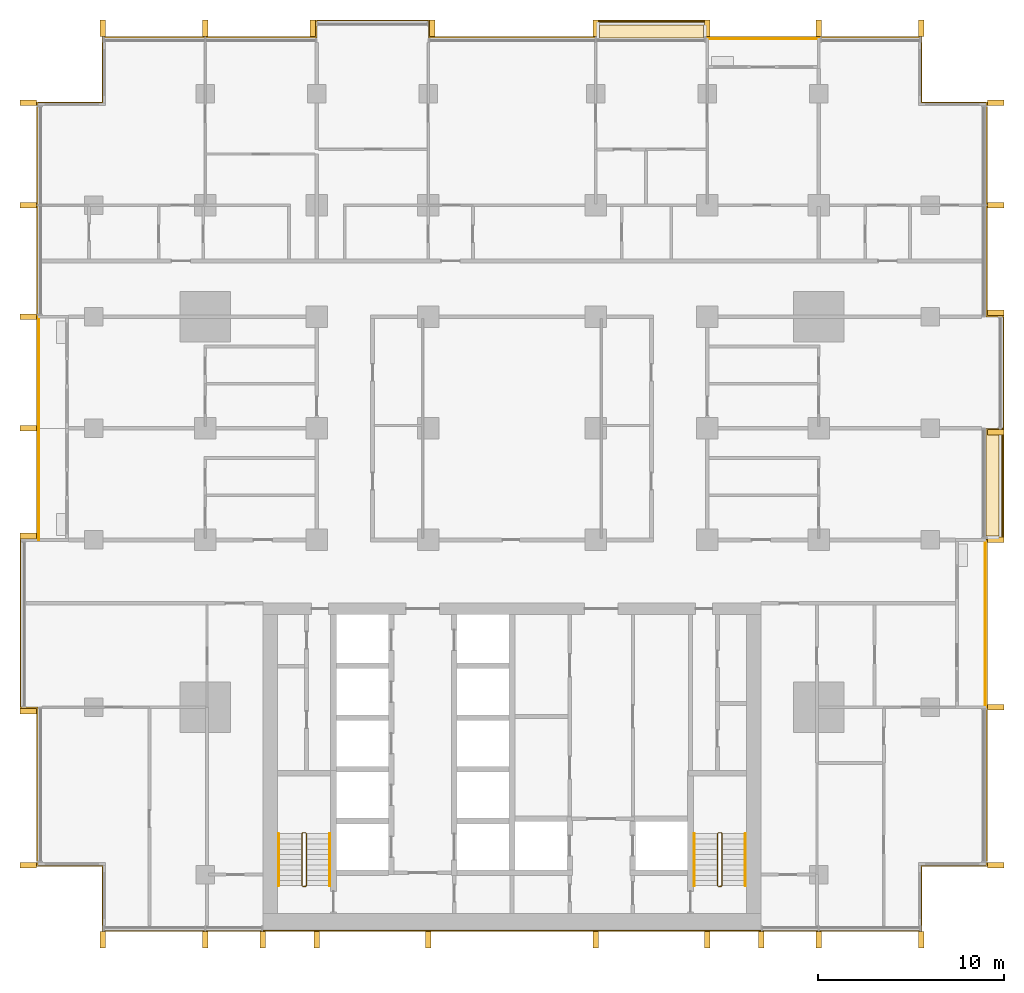
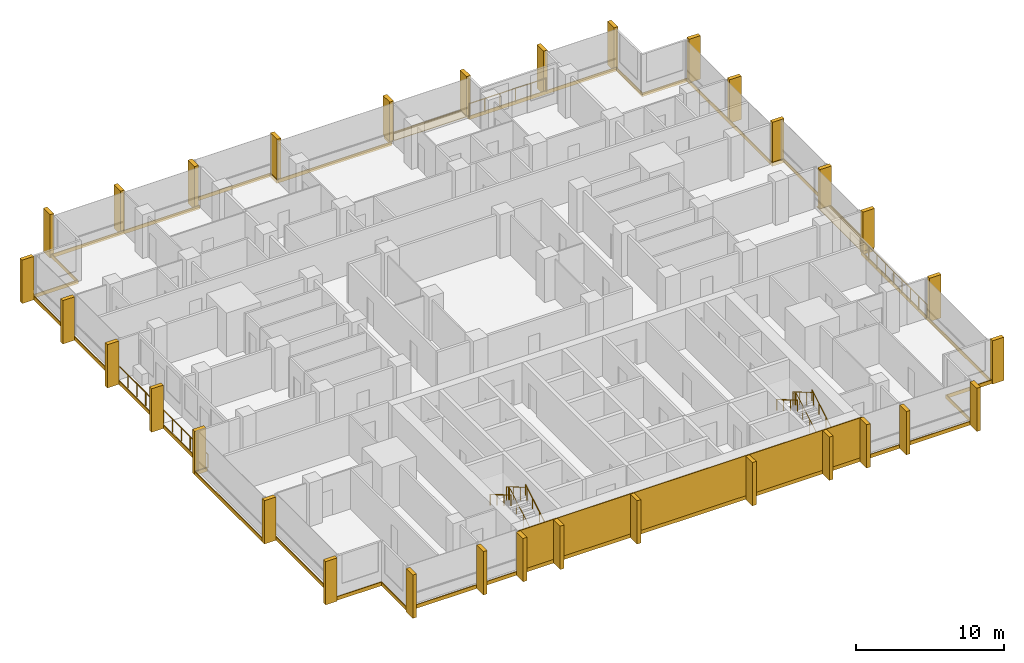
# One storey, part 17 of 17: 32 shading devices, 10 coverings, 10 railings.
"""IFC4 building model written with IfcOpenShell, lengths in metres."""

from ifc_helpers import new_model, si_unit, direction, frame, origin, origin_2d, place, context, subcontext, project, spatial, polyline, rectangle, circle, outline, extrude, material, layer, layer_set, type_object, element, save


model = new_model("IFC4")

# Units and contexts
model_context = context("Model", 3, precision=1e-05, world=origin(), true_north=direction((0.0, 1.0)))
body_context = subcontext(model_context, "Body", "Model", "MODEL_VIEW")
ifc_project = project(units=[si_unit("LENGTHUNIT", "METRE"), si_unit("AREAUNIT", "SQUARE_METRE"), si_unit("VOLUMEUNIT", "CUBIC_METRE"), si_unit("PLANEANGLEUNIT", "RADIAN"), si_unit("MASSUNIT", "GRAM", prefix="KILO")], contexts=[model_context])

# Site, building, storey
site_placement = place(None, origin())
site = spatial("IfcSite", under=ifc_project, at=site_placement, CompositionType="ELEMENT")
building_placement = place(site_placement, origin())
building = spatial("IfcBuilding", under=site, at=building_placement, Name="Finial Court Residences", CompositionType="ELEMENT")
storey_placement = place(building_placement, frame((0.0, 0.0, 102.699951171875)))
storey = spatial("IfcBuildingStorey", under=building, at=storey_placement, Name="L25", CompositionType="ELEMENT", Elevation=102.699951171875)

# Railings
ifc_material_1 = material(Name="Bronze anodised aluminium", Category="aluminium")
railing_type_1 = type_object("IfcRailingType", Name="Balcony guard 1100", PredefinedType="GUARDRAIL", material=ifc_material_1)
railing_1_placement = place(storey_placement, frame((10.5, 22.449951171875, 0.0)))
element("IfcRailing", 1, at=railing_1_placement, inside=storey, type_object=railing_type_1, Name="E-L25-BALN6-R", PredefinedType="GUARDRAIL", context=body_context, shape_type="SweptSolid", body=[
    extrude(circle(Radius=0.02392578125, at=origin_2d()), frame((0.0, 0.0, 1.076171875), z_axis=(1.0, 0.0, 0.0), x_axis=(0.0, 1.0, 0.0)), (0.0, 0.0, 1.0), 6.0),
    extrude(circle(Radius=0.02099609375, at=origin_2d()), origin(), (0.0, 0.0, 1.0), 1.052001953125),
    extrude(circle(Radius=0.02099609375, at=origin_2d()), frame((1.199951171875, 0.0, 0.0)), (0.0, 0.0, 1.0), 1.052001953125),
    extrude(circle(Radius=0.02099609375, at=origin_2d()), frame((2.39990234375, 0.0, 0.0)), (0.0, 0.0, 1.0), 1.052001953125),
    extrude(circle(Radius=0.02099609375, at=origin_2d()), frame((3.60009765625, 0.0, 0.0)), (0.0, 0.0, 1.0), 1.052001953125),
    extrude(circle(Radius=0.02099609375, at=origin_2d()), frame((4.800048828125, 0.0, 0.0)), (0.0, 0.0, 1.0), 1.052001953125),
    extrude(circle(Radius=0.02099609375, at=origin_2d()), frame((6.0, 0.0, 0.0)), (0.0, 0.0, 1.0), 1.052001953125),
])
railing_2_placement = place(storey_placement, frame((25.449951171875, -13.5, 0.0)))
element("IfcRailing", 2, at=railing_2_placement, inside=storey, type_object=railing_type_1, Name="E-L25-BALE2-R", PredefinedType="GUARDRAIL", context=body_context, shape_type="SweptSolid", body=[
    extrude(circle(Radius=0.02392578125, at=origin_2d()), frame((0.0, 0.0, 1.076171875), z_axis=(0.0, 1.0, 0.0), x_axis=(-1.0, 0.0, 0.0)), (0.0, 0.0, 1.0), 9.0),
    extrude(circle(Radius=0.02099609375, at=origin_2d()), origin(), (0.0, 0.0, 1.0), 1.052001953125),
    extrude(circle(Radius=0.02099609375, at=origin_2d()), frame((0.0, 1.125, 0.0)), (0.0, 0.0, 1.0), 1.052001953125),
    extrude(circle(Radius=0.02099609375, at=origin_2d()), frame((0.0, 2.25, 0.0)), (0.0, 0.0, 1.0), 1.052001953125),
    extrude(circle(Radius=0.02099609375, at=origin_2d()), frame((0.0, 3.375, 0.0)), (0.0, 0.0, 1.0), 1.052001953125),
    extrude(circle(Radius=0.02099609375, at=origin_2d()), frame((0.0, 4.5, 0.0)), (0.0, 0.0, 1.0), 1.052001953125),
    extrude(circle(Radius=0.02099609375, at=origin_2d()), frame((0.0, 5.625, 0.0)), (0.0, 0.0, 1.0), 1.052001953125),
    extrude(circle(Radius=0.02099609375, at=origin_2d()), frame((0.0, 6.75, 0.0)), (0.0, 0.0, 1.0), 1.052001953125),
    extrude(circle(Radius=0.02099609375, at=origin_2d()), frame((0.0, 7.875, 0.0)), (0.0, 0.0, 1.0), 1.052001953125),
    extrude(circle(Radius=0.02099609375, at=origin_2d()), frame((0.0, 9.0, 0.0)), (0.0, 0.0, 1.0), 1.052001953125),
])
for number, where, name in (
    (3, (-25.449951171875, -4.5, 0.0), "E-L25-BALW3-R"),
    (4, (-25.449951171875, 1.5, 0.0), "E-L25-BALW4-R"),
):
    element("IfcRailing", number, at=place(storey_placement, frame(where)), inside=storey, type_object=railing_type_1, Name=name, PredefinedType="GUARDRAIL", context=body_context, shape_type="SweptSolid", body=[
        extrude(circle(Radius=0.02392578125, at=origin_2d()), frame((0.0, 0.0, 1.076171875), z_axis=(0.0, 1.0, 0.0), x_axis=(-1.0, 0.0, 0.0)), (0.0, 0.0, 1.0), 6.0),
        extrude(circle(Radius=0.02099609375, at=origin_2d()), origin(), (0.0, 0.0, 1.0), 1.052001953125),
        extrude(circle(Radius=0.02099609375, at=origin_2d()), frame((0.0, 1.199951171875, 0.0)), (0.0, 0.0, 1.0), 1.052001953125),
        extrude(circle(Radius=0.02099609375, at=origin_2d()), frame((0.0, 2.39990234375, 0.0)), (0.0, 0.0, 1.0), 1.052001953125),
        extrude(circle(Radius=0.02099609375, at=origin_2d()), frame((0.0, 3.60009765625, 0.0)), (0.0, 0.0, 1.0), 1.052001953125),
        extrude(circle(Radius=0.02099609375, at=origin_2d()), frame((0.0, 4.800048828125, 0.0)), (0.0, 0.0, 1.0), 1.052001953125),
        extrude(circle(Radius=0.02099609375, at=origin_2d()), frame((0.0, 6.0, 0.0)), (0.0, 0.0, 1.0), 1.052001953125),
    ])

# Coverings
ifc_material_2 = material(Name="Natural limestone", Category="masonry")
ifc_layer_1 = layer(ifc_material_2, 0.06005859375)
ifc_layer_set_1 = layer_set([ifc_layer_1], Name="Limestone cladding to the blind core face 60")
covering_type_1 = type_object("IfcCoveringType", Name="Limestone cladding to the blind core face 60", PredefinedType="CLADDING", material=ifc_layer_set_1)
covering_1_placement = place(storey_placement, origin())
element("IfcCovering", 5, at=covering_1_placement, inside=storey, type_object=covering_type_1, Name="E-L25-CLAD1", PredefinedType="CLADDING", context=body_context, shape_type="SweptSolid", body=[
    extrude(outline(polyline([(-10.5, -25.56005859375), (-10.5, -25.5), (-13.39990234375, -25.5), (-13.39990234375, -25.56005859375), (-10.5, -25.56005859375)])), origin(), (0.0, 0.0, 1.0), 3.300048828125),
])
covering_2_placement = place(storey_placement, origin())
element("IfcCovering", 6, at=covering_2_placement, inside=storey, type_object=covering_type_1, Name="E-L25-CLAD2", PredefinedType="CLADDING", context=body_context, shape_type="SweptSolid", body=[
    extrude(outline(polyline([(-4.5, -25.56005859375), (-4.5, -25.5), (-10.5, -25.5), (-10.5, -25.56005859375), (-4.5, -25.56005859375)])), origin(), (0.0, 0.0, 1.0), 3.300048828125),
])
covering_3_placement = place(storey_placement, origin())
element("IfcCovering", 7, at=covering_3_placement, inside=storey, type_object=covering_type_1, Name="E-L25-CLAD3", PredefinedType="CLADDING", context=body_context, shape_type="SweptSolid", body=[
    extrude(outline(polyline([(4.5, -25.56005859375), (4.5, -25.5), (-4.5, -25.5), (-4.5, -25.56005859375), (4.5, -25.56005859375)])), origin(), (0.0, 0.0, 1.0), 3.300048828125),
])
covering_4_placement = place(storey_placement, origin())
element("IfcCovering", 8, at=covering_4_placement, inside=storey, type_object=covering_type_1, Name="E-L25-CLAD4", PredefinedType="CLADDING", context=body_context, shape_type="SweptSolid", body=[
    extrude(outline(polyline([(10.5, -25.56005859375), (10.5, -25.5), (4.5, -25.5), (4.5, -25.56005859375), (10.5, -25.56005859375)])), origin(), (0.0, 0.0, 1.0), 3.300048828125),
])
covering_5_placement = place(storey_placement, origin())
element("IfcCovering", 9, at=covering_5_placement, inside=storey, type_object=covering_type_1, Name="E-L25-CLAD5", PredefinedType="CLADDING", context=body_context, shape_type="SweptSolid", body=[
    extrude(outline(polyline([(13.39990234375, -25.56005859375), (13.39990234375, -25.5), (10.5, -25.5), (10.5, -25.56005859375), (13.39990234375, -25.56005859375)])), origin(), (0.0, 0.0, 1.0), 3.300048828125),
])

# Shading devices
shading_device_type = type_object("IfcShadingDeviceType", Name="Limestone fin 300 x 900", PredefinedType="USERDEFINED", material=ifc_material_2)
for number, where, z_axis, x_axis, name in (
    (10, (-22.0, 23.010009765625, -0.300048828125), (0.0, 0.0, 1.0), (1.0, 0.0, 0.0), "E-L25-FIN-N1"),
    (11, (-16.5, 23.010009765625, -0.300048828125), (0.0, 0.0, 1.0), (1.0, 0.0, 0.0), "E-L25-FIN-N2"),
    (12, (-10.7099609375, 23.010009765625, -0.300048828125), (0.0, 0.0, 1.0), (1.0, 0.0, 0.0), "E-L25-FIN-N3"),
    (13, (-4.2900390625, 23.010009765625, -0.300048828125), (0.0, 0.0, 1.0), (1.0, 0.0, 0.0), "E-L25-FIN-N4"),
):
    element("IfcShadingDevice", number, at=place(storey_placement, frame(where, z_axis=z_axis, x_axis=x_axis)), inside=storey, type_object=shading_device_type, Name=name, ObjectType="FIN", PredefinedType="USERDEFINED", context=body_context, shape_type="SweptSolid", body=[
        extrude(rectangle(XDim=0.300048828125, YDim=0.89990234375, at=origin_2d()), origin(), (0.0, 0.0, 1.0), 3.580078125),
    ])
for number, where, z_axis, x_axis, name in (
    (14, (4.5, 23.010009765625, 0.0400390625), (0.0, 0.0, 1.0), (1.0, 0.0, 0.0), "E-L25-FIN-N5"),
    (15, (10.5, 23.010009765625, 0.0400390625), (0.0, 0.0, 1.0), (1.0, 0.0, 0.0), "E-L25-FIN-N6"),
):
    element("IfcShadingDevice", number, at=place(storey_placement, frame(where, z_axis=z_axis, x_axis=x_axis)), inside=storey, type_object=shading_device_type, Name=name, ObjectType="FIN", PredefinedType="USERDEFINED", context=body_context, shape_type="SweptSolid", body=[
        extrude(rectangle(XDim=0.300048828125, YDim=0.89990234375, at=origin_2d()), origin(), (0.0, 0.0, 1.0), 3.239990234375),
    ])
for number, where, z_axis, x_axis, name in (
    (16, (16.5, 23.010009765625, -0.300048828125), (0.0, 0.0, 1.0), (1.0, 0.0, 0.0), "E-L25-FIN-N7"),
    (17, (22.0, 23.010009765625, -0.300048828125), (0.0, 0.0, 1.0), (1.0, 0.0, 0.0), "E-L25-FIN-N8"),
):
    element("IfcShadingDevice", number, at=place(storey_placement, frame(where, z_axis=z_axis, x_axis=x_axis)), inside=storey, type_object=shading_device_type, Name=name, ObjectType="FIN", PredefinedType="USERDEFINED", context=body_context, shape_type="SweptSolid", body=[
        extrude(rectangle(XDim=0.300048828125, YDim=0.89990234375, at=origin_2d()), origin(), (0.0, 0.0, 1.0), 3.580078125),
    ])
for number, where, z_axis, x_axis, name in (
    (18, (26.010009765625, -22.0, -0.300048828125), (0.0, 0.0, 1.0), (1.0, 0.0, 0.0), "E-L25-FIN-E9"),
    (19, (26.010009765625, -13.5, -0.300048828125), (0.0, 0.0, 1.0), (1.0, 0.0, 0.0), "E-L25-FIN-E10"),
):
    element("IfcShadingDevice", number, at=place(storey_placement, frame(where, z_axis=z_axis, x_axis=x_axis)), inside=storey, type_object=shading_device_type, Name=name, ObjectType="FIN", PredefinedType="USERDEFINED", context=body_context, shape_type="SweptSolid", body=[
        extrude(rectangle(XDim=0.89990234375, YDim=0.300048828125, at=origin_2d()), origin(), (0.0, 0.0, 1.0), 3.580078125),
    ])
for number, where, z_axis, x_axis, name in (
    (20, (26.010009765625, -4.5, 0.0400390625), (0.0, 0.0, 1.0), (1.0, 0.0, 0.0), "E-L25-FIN-E11"),
    (21, (26.010009765625, 1.2900390625, 0.0400390625), (0.0, 0.0, 1.0), (1.0, 0.0, 0.0), "E-L25-FIN-E12"),
):
    element("IfcShadingDevice", number, at=place(storey_placement, frame(where, z_axis=z_axis, x_axis=x_axis)), inside=storey, type_object=shading_device_type, Name=name, ObjectType="FIN", PredefinedType="USERDEFINED", context=body_context, shape_type="SweptSolid", body=[
        extrude(rectangle(XDim=0.89990234375, YDim=0.300048828125, at=origin_2d()), origin(), (0.0, 0.0, 1.0), 3.239990234375),
    ])
for number, where, z_axis, x_axis, name in (
    (22, (26.010009765625, 7.7099609375, -0.300048828125), (0.0, 0.0, 1.0), (1.0, 0.0, 0.0), "E-L25-FIN-E13"),
    (23, (26.010009765625, 13.5, -0.300048828125), (0.0, 0.0, 1.0), (1.0, 0.0, 0.0), "E-L25-FIN-E14"),
    (24, (26.010009765625, 19.0, -0.300048828125), (0.0, 0.0, 1.0), (1.0, 0.0, 0.0), "E-L25-FIN-E15"),
):
    element("IfcShadingDevice", number, at=place(storey_placement, frame(where, z_axis=z_axis, x_axis=x_axis)), inside=storey, type_object=shading_device_type, Name=name, ObjectType="FIN", PredefinedType="USERDEFINED", context=body_context, shape_type="SweptSolid", body=[
        extrude(rectangle(XDim=0.89990234375, YDim=0.300048828125, at=origin_2d()), origin(), (0.0, 0.0, 1.0), 3.580078125),
    ])
for number, where, z_axis, x_axis, name in (
    (25, (-22.0, -26.010009765625, -0.300048828125), (0.0, 0.0, 1.0), (1.0, 0.0, 0.0), "E-L25-FIN-S16"),
    (26, (-16.5, -26.010009765625, -0.300048828125), (0.0, 0.0, 1.0), (1.0, 0.0, 0.0), "E-L25-FIN-S17"),
    (27, (-13.39990234375, -26.010009765625, -0.300048828125), (0.0, 0.0, 1.0), (1.0, 0.0, 0.0), "E-L25-FIN-S18"),
    (28, (-10.5, -26.010009765625, -0.300048828125), (0.0, 0.0, 1.0), (1.0, 0.0, 0.0), "E-L25-FIN-S19"),
    (29, (-4.5, -26.010009765625, -0.300048828125), (0.0, 0.0, 1.0), (1.0, 0.0, 0.0), "E-L25-FIN-S20"),
    (30, (4.5, -26.010009765625, -0.300048828125), (0.0, 0.0, 1.0), (1.0, 0.0, 0.0), "E-L25-FIN-S21"),
    (31, (10.5, -26.010009765625, -0.300048828125), (0.0, 0.0, 1.0), (1.0, 0.0, 0.0), "E-L25-FIN-S22"),
    (32, (13.39990234375, -26.010009765625, -0.300048828125), (0.0, 0.0, 1.0), (1.0, 0.0, 0.0), "E-L25-FIN-S23"),
    (33, (16.5, -26.010009765625, -0.300048828125), (0.0, 0.0, 1.0), (1.0, 0.0, 0.0), "E-L25-FIN-S24"),
    (34, (22.0, -26.010009765625, -0.300048828125), (0.0, 0.0, 1.0), (1.0, 0.0, 0.0), "E-L25-FIN-S25"),
):
    element("IfcShadingDevice", number, at=place(storey_placement, frame(where, z_axis=z_axis, x_axis=x_axis)), inside=storey, type_object=shading_device_type, Name=name, ObjectType="FIN", PredefinedType="USERDEFINED", context=body_context, shape_type="SweptSolid", body=[
        extrude(rectangle(XDim=0.300048828125, YDim=0.89990234375, at=origin_2d()), origin(), (0.0, 0.0, 1.0), 3.580078125),
    ])
for number, where, z_axis, x_axis, name in (
    (35, (-26.010009765625, -22.0, -0.300048828125), (0.0, 0.0, 1.0), (1.0, 0.0, 0.0), "E-L25-FIN-W26"),
    (36, (-26.010009765625, -13.7099609375, -0.300048828125), (0.0, 0.0, 1.0), (1.0, 0.0, 0.0), "E-L25-FIN-W27"),
    (37, (-26.010009765625, -4.2900390625, -0.300048828125), (0.0, 0.0, 1.0), (1.0, 0.0, 0.0), "E-L25-FIN-W28"),
    (38, (-26.010009765625, 1.5, -0.300048828125), (0.0, 0.0, 1.0), (1.0, 0.0, 0.0), "E-L25-FIN-W29"),
    (39, (-26.010009765625, 7.5, -0.300048828125), (0.0, 0.0, 1.0), (1.0, 0.0, 0.0), "E-L25-FIN-W30"),
    (40, (-26.010009765625, 13.5, -0.300048828125), (0.0, 0.0, 1.0), (1.0, 0.0, 0.0), "E-L25-FIN-W31"),
    (41, (-26.010009765625, 19.0, -0.300048828125), (0.0, 0.0, 1.0), (1.0, 0.0, 0.0), "E-L25-FIN-W32"),
):
    element("IfcShadingDevice", number, at=place(storey_placement, frame(where, z_axis=z_axis, x_axis=x_axis)), inside=storey, type_object=shading_device_type, Name=name, ObjectType="FIN", PredefinedType="USERDEFINED", context=body_context, shape_type="SweptSolid", body=[
        extrude(rectangle(XDim=0.89990234375, YDim=0.300048828125, at=origin_2d()), origin(), (0.0, 0.0, 1.0), 3.580078125),
    ])

# Coverings
ifc_material_3 = material(Name="Pale limestone", Category="masonry")
ifc_layer_2 = layer(ifc_material_3, 0.06005859375)
ifc_layer_set_2 = layer_set([ifc_layer_2], Name="Pale limestone slab-edge band 60")
covering_type_2 = type_object("IfcCoveringType", Name="Pale limestone slab-edge band 60", PredefinedType="CLADDING", material=ifc_layer_set_2)
covering_6_placement = place(storey_placement, frame((0.0, 0.0, -0.300048828125)))
element("IfcCovering", 42, at=covering_6_placement, inside=storey, type_object=covering_type_2, Name="E-L25-BAND1", PredefinedType="CLADDING", context=body_context, shape_type="SweptSolid", body=[
    extrude(outline(polyline([(22.06005859375, -22.06005859375), (22.06005859375, -25.56005859375), (-22.06005859375, -25.56005859375), (-22.06005859375, -22.06005859375), (-25.56005859375, -22.06005859375), (-25.56005859375, -13.56005859375), (-26.4599609375, -13.56005859375), (-26.4599609375, -4.43994140625), (-25.56005859375, -4.43994140625), (-25.56005859375, 19.06005859375), (-22.06005859375, 19.06005859375), (-22.06005859375, 22.56005859375), (-10.56005859375, 22.56005859375), (-10.56005859375, 23.4599609375), (-4.43994140625, 23.4599609375), (-4.43994140625, 22.56005859375), (4.43994140625, 22.56005859375), (4.43994140625, 23.4599609375), (10.56005859375, 23.4599609375), (10.56005859375, 22.56005859375), (22.06005859375, 22.56005859375), (22.06005859375, 19.06005859375), (25.56005859375, 19.06005859375), (25.56005859375, 7.56005859375), (26.4599609375, 7.56005859375), (26.4599609375, -4.56005859375), (25.56005859375, -4.56005859375), (25.56005859375, -22.06005859375), (22.06005859375, -22.06005859375)]), holes=[polyline([(25.5, -4.5), (26.39990234375, -4.5), (26.39990234375, 1.5), (26.39990234375, 7.5), (25.5, 7.5), (25.5, 19.0), (22.0, 19.0), (22.0, 22.5), (16.5, 22.5), (10.5, 22.5), (10.5, 23.39990234375), (4.5, 23.39990234375), (4.5, 22.5), (-4.5, 22.5), (-4.5, 23.39990234375), (-10.5, 23.39990234375), (-10.5, 22.5), (-22.0, 22.5), (-22.0, 19.0), (-25.5, 19.0), (-25.5, 7.5), (-25.5, 1.5), (-25.5, -4.5), (-26.39990234375, -4.5), (-26.39990234375, -13.5), (-25.5, -13.5), (-25.5, -22.0), (-22.0, -22.0), (-22.0, -25.5), (22.0, -25.5), (22.0, -22.0), (25.5, -22.0), (25.5, -13.5), (25.5, -4.5)])]), origin(), (0.0, 0.0, 1.0), 0.300048828125),
])
ifc_material_4 = material(Name="Bitumen membrane")
ifc_layer_3 = layer(ifc_material_4, 0.0400390625)
ifc_layer_set_3 = layer_set([ifc_layer_3], Name="Push box roofing, bitumen membrane 40")
covering_type_3 = type_object("IfcCoveringType", Name="Push box roofing, bitumen membrane 40", PredefinedType="ROOFING", material=ifc_layer_set_3)
covering_7_placement = place(storey_placement, origin())
element("IfcCovering", 43, at=covering_7_placement, inside=storey, type_object=covering_type_3, Name="E-L25-LED1", PredefinedType="ROOFING", context=body_context, shape_type="SweptSolid", body=[
    extrude(outline(polyline([(10.449951171875, 22.5), (10.449951171875, 23.199951171875), (10.449951171875, 23.35009765625), (4.699951171875, 23.35009765625), (4.699951171875, 23.35009765625), (4.550048828125, 23.35009765625), (4.550048828125, 22.5), (4.5, 22.5), (4.5, 23.39990234375), (10.5, 23.39990234375), (10.5, 22.5), (10.449951171875, 22.5)])), origin(), (0.0, 0.0, 1.0), 0.0400390625),
])
covering_8_placement = place(storey_placement, origin())
element("IfcCovering", 44, at=covering_8_placement, inside=storey, type_object=covering_type_3, Name="E-L25-LED1b", PredefinedType="ROOFING", context=body_context, shape_type="SweptSolid", body=[
    extrude(outline(polyline([(4.699951171875, 22.5), (4.699951171875, 23.199951171875), (10.300048828125, 23.199951171875), (10.300048828125, 22.5), (4.699951171875, 22.5)])), origin(), (0.0, 0.0, 1.0), 0.0400390625),
])
covering_9_placement = place(storey_placement, origin())
element("IfcCovering", 45, at=covering_9_placement, inside=storey, type_object=covering_type_3, Name="E-L25-LED2", PredefinedType="ROOFING", context=body_context, shape_type="SweptSolid", body=[
    extrude(outline(polyline([(25.5, -4.449951171875), (26.199951171875, -4.449951171875), (26.35009765625, -4.449951171875), (26.35009765625, 1.5), (26.39990234375, 1.5), (26.39990234375, -4.5), (25.5, -4.5), (25.5, -4.449951171875)])), origin(), (0.0, 0.0, 1.0), 0.0400390625),
])
covering_10_placement = place(storey_placement, origin())
element("IfcCovering", 46, at=covering_10_placement, inside=storey, type_object=covering_type_3, Name="E-L25-LED2b", PredefinedType="ROOFING", context=body_context, shape_type="SweptSolid", body=[
    extrude(outline(polyline([(25.5, 1.5), (26.199951171875, 1.5), (26.199951171875, -4.300048828125), (25.5, -4.300048828125), (25.5, 1.5)])), origin(), (0.0, 0.0, 1.0), 0.0400390625),
])

# Railings
ifc_material_5 = material(Name="Stainless steel railing", Category="steel")
railing_type_2 = type_object("IfcRailingType", Name="Stair guard 1100", PredefinedType="GUARDRAIL", material=ifc_material_5)
railing_3_placement = place(storey_placement, frame((-11.10009765625, -23.14990234375, 0.0)))
element("IfcRailing", 47, at=railing_3_placement, inside=storey, type_object=railing_type_2, Name="L25 ST-1 stair guard 1", PredefinedType="GUARDRAIL", context=body_context, shape_type="SweptSolid", body=[
    extrude(circle(Radius=0.02392578125, at=origin_2d()), frame((0.0, 0.0, 1.076171875), z_axis=(-1.0, 0.0, 0.0), x_axis=(0.0, -1.0, 0.0)), (0.0, 0.0, 1.0), 0.14990234375),
    extrude(circle(Radius=0.02392578125, at=origin_2d()), frame((-0.14990234375, 0.0, 1.076171875), z_axis=(0.760004195007, 0.189305074214, 0.621737253547), x_axis=(-0.241699205484, 0.970351222016, 0.0)), (0.0, 0.0, 1.0), 0.26318359375),
    extrude(circle(Radius=0.02392578125, at=origin_2d()), frame((0.050048828125, 0.0498046875, 1.23974609375), z_axis=(0.0, 0.863360870873, 0.504586966384), x_axis=(-1.0, 0.0, 0.0)), (0.0, 0.0, 1.0), 3.2431640625),
    extrude(circle(Radius=0.02392578125, at=origin_2d()), frame((0.050048828125, 2.849853515625, 2.8759765625), z_axis=(-0.707106781187, 0.707106781187, 0.0), x_axis=(-0.707106781187, -0.707106781187, 0.0)), (0.0, 0.0, 1.0), 0.07080078125),
    extrude(circle(Radius=0.02392578125, at=origin_2d()), frame((0.0, 2.89990234375, 2.8759765625), z_axis=(-1.0, 0.0, 0.0), x_axis=(0.0, -1.0, 0.0)), (0.0, 0.0, 1.0), 0.14990234375),
    extrude(circle(Radius=0.02392578125, at=origin_2d()), frame((-0.14990234375, 2.89990234375, 2.8759765625), z_axis=(-0.280808744504, -0.280808744504, 0.917765164963), x_axis=(0.707106781187, -0.707106781187, 0.0)), (0.0, 0.0, 1.0), 0.17822265625),
    extrude(circle(Radius=0.02392578125, at=origin_2d()), frame((-0.199951171875, 2.849853515625, 3.03955078125), z_axis=(0.0, -0.863360870873, 0.504586966384), x_axis=(1.0, 0.0, 0.0)), (0.0, 0.0, 1.0), 3.2431640625),
    extrude(circle(Radius=0.02099609375, at=origin_2d()), origin(), (0.0, 0.0, 1.0), 1.052001953125),
    extrude(circle(Radius=0.02099609375, at=origin_2d()), frame((-0.14990234375, 0.0, 0.0)), (0.0, 0.0, 1.0), 1.052001953125),
    extrude(circle(Radius=0.02099609375, at=origin_2d()), frame((0.050048828125, 0.0498046875, 0.16357421875)), (0.0, 0.0, 1.0), 1.052001953125),
    extrude(circle(Radius=0.02099609375, at=origin_2d()), frame((0.050048828125, 0.983154296875, 0.708984375)), (0.0, 0.0, 1.0), 1.052001953125),
    extrude(circle(Radius=0.02099609375, at=origin_2d()), frame((0.050048828125, 1.91650390625, 1.254638671875)), (0.0, 0.0, 1.0), 1.052001953125),
    extrude(circle(Radius=0.02099609375, at=origin_2d()), frame((0.050048828125, 2.849853515625, 1.800048828125)), (0.0, 0.0, 1.0), 1.052001953125),
    extrude(circle(Radius=0.02099609375, at=origin_2d()), frame((0.0, 2.89990234375, 1.800048828125)), (0.0, 0.0, 1.0), 1.052001953125),
    extrude(circle(Radius=0.02099609375, at=origin_2d()), frame((-0.14990234375, 2.89990234375, 1.800048828125)), (0.0, 0.0, 1.0), 1.052001953125),
    extrude(circle(Radius=0.02099609375, at=origin_2d()), frame((-0.199951171875, 2.849853515625, 1.963623046875)), (0.0, 0.0, 1.0), 1.052001953125),
    extrude(circle(Radius=0.02099609375, at=origin_2d()), frame((-0.199951171875, 1.91650390625, 2.509033203125)), (0.0, 0.0, 1.0), 1.052001953125),
    extrude(circle(Radius=0.02099609375, at=origin_2d()), frame((-0.199951171875, 0.983154296875, 3.0546875)), (0.0, 0.0, 1.0), 1.052001953125),
    extrude(circle(Radius=0.02099609375, at=origin_2d()), frame((-0.199951171875, 0.0498046875, 3.60009765625)), (0.0, 0.0, 1.0), 1.052001953125),
])
railing_4_placement = place(storey_placement, frame((11.25, -23.14990234375, 0.0)))
element("IfcRailing", 48, at=railing_4_placement, inside=storey, type_object=railing_type_2, Name="L25 ST-2 stair guard 1", PredefinedType="GUARDRAIL", context=body_context, shape_type="SweptSolid", body=[
    extrude(circle(Radius=0.02392578125, at=origin_2d()), frame((0.0, 0.0, 1.076171875), z_axis=(-1.0, 0.0, 0.0), x_axis=(0.0, -1.0, 0.0)), (0.0, 0.0, 1.0), 0.14990234375),
    extrude(circle(Radius=0.02392578125, at=origin_2d()), frame((-0.14990234375, 0.0, 1.076171875), z_axis=(0.760004195007, 0.189305074214, 0.621737253547), x_axis=(-0.241699205484, 0.970351222016, 0.0)), (0.0, 0.0, 1.0), 0.26318359375),
    extrude(circle(Radius=0.02392578125, at=origin_2d()), frame((0.050048828125, 0.0498046875, 1.23974609375), z_axis=(0.0, 0.863360870873, 0.504586966384), x_axis=(-1.0, 0.0, 0.0)), (0.0, 0.0, 1.0), 3.2431640625),
    extrude(circle(Radius=0.02392578125, at=origin_2d()), frame((0.050048828125, 2.849853515625, 2.8759765625), z_axis=(-0.707106781187, 0.707106781187, 0.0), x_axis=(-0.707106781187, -0.707106781187, 0.0)), (0.0, 0.0, 1.0), 0.07080078125),
    extrude(circle(Radius=0.02392578125, at=origin_2d()), frame((0.0, 2.89990234375, 2.8759765625), z_axis=(-1.0, 0.0, 0.0), x_axis=(0.0, -1.0, 0.0)), (0.0, 0.0, 1.0), 0.14990234375),
    extrude(circle(Radius=0.02392578125, at=origin_2d()), frame((-0.14990234375, 2.89990234375, 2.8759765625), z_axis=(-0.280808744504, -0.280808744504, 0.917765164963), x_axis=(0.707106781187, -0.707106781187, 0.0)), (0.0, 0.0, 1.0), 0.17822265625),
    extrude(circle(Radius=0.02392578125, at=origin_2d()), frame((-0.199951171875, 2.849853515625, 3.03955078125), z_axis=(0.0, -0.863360870873, 0.504586966384), x_axis=(1.0, 0.0, 0.0)), (0.0, 0.0, 1.0), 3.2431640625),
    extrude(circle(Radius=0.02099609375, at=origin_2d()), origin(), (0.0, 0.0, 1.0), 1.052001953125),
    extrude(circle(Radius=0.02099609375, at=origin_2d()), frame((-0.14990234375, 0.0, 0.0)), (0.0, 0.0, 1.0), 1.052001953125),
    extrude(circle(Radius=0.02099609375, at=origin_2d()), frame((0.050048828125, 0.0498046875, 0.16357421875)), (0.0, 0.0, 1.0), 1.052001953125),
    extrude(circle(Radius=0.02099609375, at=origin_2d()), frame((0.050048828125, 0.983154296875, 0.708984375)), (0.0, 0.0, 1.0), 1.052001953125),
    extrude(circle(Radius=0.02099609375, at=origin_2d()), frame((0.050048828125, 1.91650390625, 1.254638671875)), (0.0, 0.0, 1.0), 1.052001953125),
    extrude(circle(Radius=0.02099609375, at=origin_2d()), frame((0.050048828125, 2.849853515625, 1.800048828125)), (0.0, 0.0, 1.0), 1.052001953125),
    extrude(circle(Radius=0.02099609375, at=origin_2d()), frame((0.0, 2.89990234375, 1.800048828125)), (0.0, 0.0, 1.0), 1.052001953125),
    extrude(circle(Radius=0.02099609375, at=origin_2d()), frame((-0.14990234375, 2.89990234375, 1.800048828125)), (0.0, 0.0, 1.0), 1.052001953125),
    extrude(circle(Radius=0.02099609375, at=origin_2d()), frame((-0.199951171875, 2.849853515625, 1.963623046875)), (0.0, 0.0, 1.0), 1.052001953125),
    extrude(circle(Radius=0.02099609375, at=origin_2d()), frame((-0.199951171875, 1.91650390625, 2.509033203125)), (0.0, 0.0, 1.0), 1.052001953125),
    extrude(circle(Radius=0.02099609375, at=origin_2d()), frame((-0.199951171875, 0.983154296875, 3.0546875)), (0.0, 0.0, 1.0), 1.052001953125),
    extrude(circle(Radius=0.02099609375, at=origin_2d()), frame((-0.199951171875, 0.0498046875, 3.60009765625)), (0.0, 0.0, 1.0), 1.052001953125),
])
railing_type_3 = type_object("IfcRailingType", Name="Stair handrail 900", PredefinedType="HANDRAIL", material=ifc_material_5)
railing_5_placement = place(storey_placement, frame((-9.800048828125, -23.10009765625, 0.16357421875)))
element("IfcRailing", 49, at=railing_5_placement, inside=storey, type_object=railing_type_3, Name="L25 ST-1 stair handrail 1", PredefinedType="HANDRAIL", context=body_context, shape_type="SweptSolid", body=[
    extrude(circle(Radius=0.02392578125, at=origin_2d()), frame((0.0, 0.0, 0.8759765625), z_axis=(0.0, 0.863360870873, 0.504586966384), x_axis=(-1.0, 0.0, 0.0)), (0.0, 0.0, 1.0), 3.2431640625),
    extrude(circle(Radius=0.02099609375, at=origin_2d()), origin(), (0.0, 0.0, 1.0), 0.851806640625),
    extrude(circle(Radius=0.02099609375, at=origin_2d()), frame((0.0, 0.933349609375, 0.54541015625)), (0.0, 0.0, 1.0), 0.851806640625),
    extrude(circle(Radius=0.02099609375, at=origin_2d()), frame((0.0, 1.86669921875, 1.091064453125)), (0.0, 0.0, 1.0), 0.851806640625),
    extrude(circle(Radius=0.02099609375, at=origin_2d()), frame((0.0, 2.800048828125, 1.636474609375)), (0.0, 0.0, 1.0), 0.851806640625),
])
railing_6_placement = place(storey_placement, frame((-12.550048828125, -20.300048828125, 1.963623046875)))
element("IfcRailing", 50, at=railing_6_placement, inside=storey, type_object=railing_type_3, Name="L25 ST-1 stair handrail 2", PredefinedType="HANDRAIL", context=body_context, shape_type="SweptSolid", body=[
    extrude(circle(Radius=0.02392578125, at=origin_2d()), frame((0.0, 0.0, 0.8759765625), z_axis=(0.0, -0.863360870873, 0.504586966384), x_axis=(1.0, 0.0, 0.0)), (0.0, 0.0, 1.0), 3.2431640625),
    extrude(circle(Radius=0.02099609375, at=origin_2d()), origin(), (0.0, 0.0, 1.0), 0.851806640625),
    extrude(circle(Radius=0.02099609375, at=origin_2d()), frame((0.0, -0.933349609375, 0.54541015625)), (0.0, 0.0, 1.0), 0.851806640625),
    extrude(circle(Radius=0.02099609375, at=origin_2d()), frame((0.0, -1.86669921875, 1.091064453125)), (0.0, 0.0, 1.0), 0.851806640625),
    extrude(circle(Radius=0.02099609375, at=origin_2d()), frame((0.0, -2.800048828125, 1.636474609375)), (0.0, 0.0, 1.0), 0.851806640625),
])
railing_7_placement = place(storey_placement, frame((12.550048828125, -23.10009765625, 0.16357421875)))
element("IfcRailing", 51, at=railing_7_placement, inside=storey, type_object=railing_type_3, Name="L25 ST-2 stair handrail 1", PredefinedType="HANDRAIL", context=body_context, shape_type="SweptSolid", body=[
    extrude(circle(Radius=0.02392578125, at=origin_2d()), frame((0.0, 0.0, 0.8759765625), z_axis=(0.0, 0.863360870873, 0.504586966384), x_axis=(-1.0, 0.0, 0.0)), (0.0, 0.0, 1.0), 3.2431640625),
    extrude(circle(Radius=0.02099609375, at=origin_2d()), origin(), (0.0, 0.0, 1.0), 0.851806640625),
    extrude(circle(Radius=0.02099609375, at=origin_2d()), frame((0.0, 0.933349609375, 0.54541015625)), (0.0, 0.0, 1.0), 0.851806640625),
    extrude(circle(Radius=0.02099609375, at=origin_2d()), frame((0.0, 1.86669921875, 1.091064453125)), (0.0, 0.0, 1.0), 0.851806640625),
    extrude(circle(Radius=0.02099609375, at=origin_2d()), frame((0.0, 2.800048828125, 1.636474609375)), (0.0, 0.0, 1.0), 0.851806640625),
])
railing_8_placement = place(storey_placement, frame((9.800048828125, -20.300048828125, 1.963623046875)))
element("IfcRailing", 52, at=railing_8_placement, inside=storey, type_object=railing_type_3, Name="L25 ST-2 stair handrail 2", PredefinedType="HANDRAIL", context=body_context, shape_type="SweptSolid", body=[
    extrude(circle(Radius=0.02392578125, at=origin_2d()), frame((0.0, 0.0, 0.8759765625), z_axis=(0.0, -0.863360870873, 0.504586966384), x_axis=(1.0, 0.0, 0.0)), (0.0, 0.0, 1.0), 3.2431640625),
    extrude(circle(Radius=0.02099609375, at=origin_2d()), origin(), (0.0, 0.0, 1.0), 0.851806640625),
    extrude(circle(Radius=0.02099609375, at=origin_2d()), frame((0.0, -0.933349609375, 0.54541015625)), (0.0, 0.0, 1.0), 0.851806640625),
    extrude(circle(Radius=0.02099609375, at=origin_2d()), frame((0.0, -1.86669921875, 1.091064453125)), (0.0, 0.0, 1.0), 0.851806640625),
    extrude(circle(Radius=0.02099609375, at=origin_2d()), frame((0.0, -2.800048828125, 1.636474609375)), (0.0, 0.0, 1.0), 0.851806640625),
])

save(model, "model.ifc")
